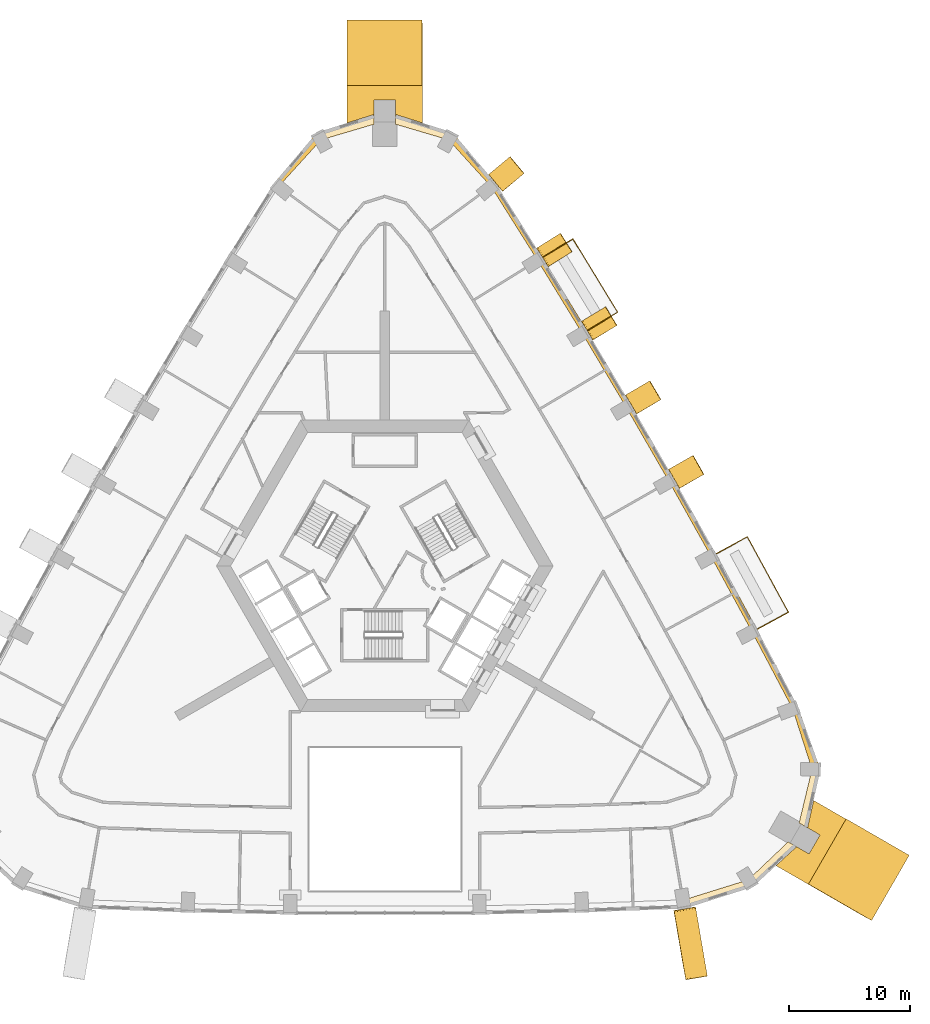
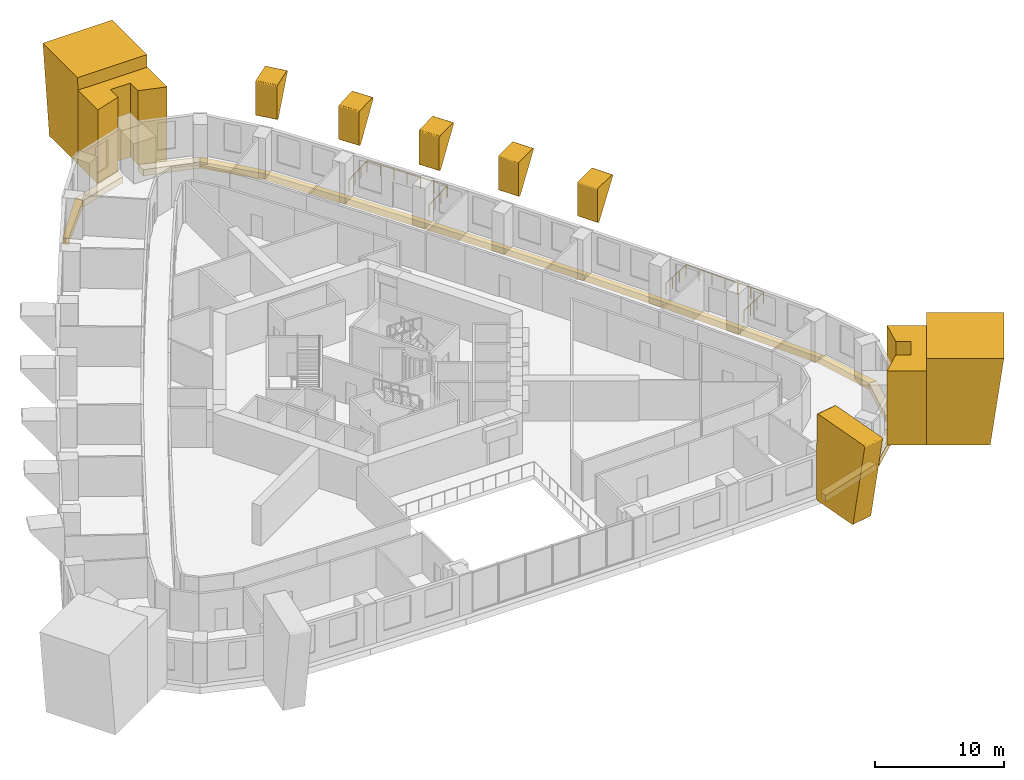
# One storey, part 14 of 14: 25 coverings, 2 railings.
"""IFC4 building model written with IfcOpenShell, lengths in metres."""

from ifc_helpers import new_model, si_unit, direction, frame, origin, origin_2d, place, context, subcontext, project, spatial, polyline, circle, outline, extrude, material, type_object, element, save


model = new_model("IFC4")

# Units and contexts
model_context = context("Model", 3, precision=1e-05, world=origin(), true_north=direction((0.0, 1.0)))
body_context = subcontext(model_context, "Body", "Model", "MODEL_VIEW")
ifc_project = project(units=[si_unit("LENGTHUNIT", "METRE"), si_unit("AREAUNIT", "SQUARE_METRE"), si_unit("VOLUMEUNIT", "CUBIC_METRE"), si_unit("PLANEANGLEUNIT", "RADIAN"), si_unit("MASSUNIT", "GRAM", prefix="KILO")], contexts=[model_context])

# Site, building, storey
site_placement = place(None, origin())
site = spatial("IfcSite", under=ifc_project, at=site_placement, CompositionType="ELEMENT")
building_placement = place(site_placement, origin())
building = spatial("IfcBuilding", under=site, at=building_placement, Name="Entoto Arch Interchange Tower", CompositionType="ELEMENT")
storey_placement = place(building_placement, frame((0.0, 0.0, 176.0)))
storey = spatial("IfcBuildingStorey", under=building, at=storey_placement, Name="L39", CompositionType="ELEMENT", Elevation=176.0)

# Railings
ifc_material_1 = material(Name="Stainless steel 1.4301", Category="steel")
railing_type = type_object("IfcRailingType", Name="GUARD 1100 STEEL AND GLASS", PredefinedType="GUARDRAIL", material=ifc_material_1)
railing_1_placement = place(storey_placement, frame((30.64111328125, -2.715087890625, 0.0)))
element("IfcRailing", 1, at=railing_1_placement, inside=storey, type_object=railing_type, Name="Balcony guard NE-02 L39", PredefinedType="GUARDRAIL", context=body_context, shape_type="SweptSolid", body=[
    extrude(circle(Radius=0.02392578125, at=origin_2d()), frame((0.0, 0.0, 1.076171875), z_axis=(0.877971473761, 0.478712952888, 0.0), x_axis=(-0.478712952888, 0.877971473761, 0.0)), (0.0, 0.0, 1.0), 2.94970703125),
    extrude(circle(Radius=0.02392578125, at=origin_2d()), frame((2.58984375, 1.412109375, 1.076171875), z_axis=(-0.47861744295, 0.878023543707, 0.0), x_axis=(-0.878023543707, -0.47861744295, 0.0)), (0.0, 0.0, 1.0), 7.0703125),
    extrude(circle(Radius=0.02392578125, at=origin_2d()), frame((-0.794189453125, 7.6201171875, 1.076171875), z_axis=(-0.877971473761, -0.478712952888, 0.0), x_axis=(0.478712952888, -0.877971473761, 0.0)), (0.0, 0.0, 1.0), 2.94970703125),
    extrude(circle(Radius=0.02099609375, at=origin_2d()), origin(), (0.0, 0.0, 1.0), 1.052001953125),
    extrude(circle(Radius=0.02099609375, at=origin_2d()), frame((0.86328125, 0.470703125, 0.0)), (0.0, 0.0, 1.0), 1.052001953125),
    extrude(circle(Radius=0.02099609375, at=origin_2d()), frame((1.7265625, 0.94140625, 0.0)), (0.0, 0.0, 1.0), 1.052001953125),
    extrude(circle(Radius=0.02099609375, at=origin_2d()), frame((2.58984375, 1.412109375, 0.0)), (0.0, 0.0, 1.0), 1.052001953125),
    extrude(circle(Radius=0.02099609375, at=origin_2d()), frame((2.02587890625, 2.44677734375, 0.0)), (0.0, 0.0, 1.0), 1.052001953125),
    extrude(circle(Radius=0.02099609375, at=origin_2d()), frame((1.4619140625, 3.4814453125, 0.0)), (0.0, 0.0, 1.0), 1.052001953125),
    extrude(circle(Radius=0.02099609375, at=origin_2d()), frame((0.89794921875, 4.51611328125, 0.0)), (0.0, 0.0, 1.0), 1.052001953125),
    extrude(circle(Radius=0.02099609375, at=origin_2d()), frame((0.333740234375, 5.55078125, 0.0)), (0.0, 0.0, 1.0), 1.052001953125),
    extrude(circle(Radius=0.02099609375, at=origin_2d()), frame((-0.230224609375, 6.58544921875, 0.0)), (0.0, 0.0, 1.0), 1.052001953125),
    extrude(circle(Radius=0.02099609375, at=origin_2d()), frame((-0.794189453125, 7.6201171875, 0.0)), (0.0, 0.0, 1.0), 1.052001953125),
    extrude(circle(Radius=0.02099609375, at=origin_2d()), frame((-1.657470703125, 7.1494140625, 0.0)), (0.0, 0.0, 1.0), 1.052001953125),
    extrude(circle(Radius=0.02099609375, at=origin_2d()), frame((-2.520751953125, 6.6787109375, 0.0)), (0.0, 0.0, 1.0), 1.052001953125),
    extrude(circle(Radius=0.02099609375, at=origin_2d()), frame((-3.384033203125, 6.2080078125, 0.0)), (0.0, 0.0, 1.0), 1.052001953125),
])
railing_2_placement = place(storey_placement, frame((16.654052734375, 21.85888671875, 0.0)))
element("IfcRailing", 2, at=railing_2_placement, inside=storey, type_object=railing_type, Name="Balcony guard NE-06 L39", PredefinedType="GUARDRAIL", context=body_context, shape_type="SweptSolid", body=[
    extrude(circle(Radius=0.02392578125, at=origin_2d()), frame((0.0, 0.0, 1.076171875), z_axis=(0.853392260007, 0.521269268765, 0.0), x_axis=(-0.521269268765, 0.853392260007, 0.0)), (0.0, 0.0, 1.0), 2.95068359375),
    extrude(circle(Radius=0.02392578125, at=origin_2d()), frame((2.51806640625, 1.5380859375, 1.076171875), z_axis=(-0.521208350331, 0.853429467235, 0.0), x_axis=(-0.853429467235, -0.521208350331, 0.0)), (0.0, 0.0, 1.0), 7.0703125),
    extrude(circle(Radius=0.02392578125, at=origin_2d()), frame((-1.1669921875, 7.572021484375, 1.076171875), z_axis=(-0.853429066635, -0.521209006276, 0.0), x_axis=(0.521209006276, -0.853429066635, 0.0)), (0.0, 0.0, 1.0), 2.950439453125),
    extrude(circle(Radius=0.02099609375, at=origin_2d()), origin(), (0.0, 0.0, 1.0), 1.052001953125),
    extrude(circle(Radius=0.02099609375, at=origin_2d()), frame((0.83935546875, 0.5126953125, 0.0)), (0.0, 0.0, 1.0), 1.052001953125),
    extrude(circle(Radius=0.02099609375, at=origin_2d()), frame((1.6787109375, 1.025390625, 0.0)), (0.0, 0.0, 1.0), 1.052001953125),
    extrude(circle(Radius=0.02099609375, at=origin_2d()), frame((2.51806640625, 1.5380859375, 0.0)), (0.0, 0.0, 1.0), 1.052001953125),
    extrude(circle(Radius=0.02099609375, at=origin_2d()), frame((1.90380859375, 2.543701171875, 0.0)), (0.0, 0.0, 1.0), 1.052001953125),
    extrude(circle(Radius=0.02099609375, at=origin_2d()), frame((1.289794921875, 3.54931640625, 0.0)), (0.0, 0.0, 1.0), 1.052001953125),
    extrude(circle(Radius=0.02099609375, at=origin_2d()), frame((0.675537109375, 4.55517578125, 0.0)), (0.0, 0.0, 1.0), 1.052001953125),
    extrude(circle(Radius=0.02099609375, at=origin_2d()), frame((0.061279296875, 5.560791015625, 0.0)), (0.0, 0.0, 1.0), 1.052001953125),
    extrude(circle(Radius=0.02099609375, at=origin_2d()), frame((-0.552734375, 6.56640625, 0.0)), (0.0, 0.0, 1.0), 1.052001953125),
    extrude(circle(Radius=0.02099609375, at=origin_2d()), frame((-1.1669921875, 7.572021484375, 0.0)), (0.0, 0.0, 1.0), 1.052001953125),
    extrude(circle(Radius=0.02099609375, at=origin_2d()), frame((-2.00634765625, 7.059326171875, 0.0)), (0.0, 0.0, 1.0), 1.052001953125),
    extrude(circle(Radius=0.02099609375, at=origin_2d()), frame((-2.845703125, 6.546875, 0.0)), (0.0, 0.0, 1.0), 1.052001953125),
    extrude(circle(Radius=0.02099609375, at=origin_2d()), frame((-3.68505859375, 6.0341796875, 0.0)), (0.0, 0.0, 1.0), 1.052001953125),
])

# Coverings
ifc_material_2 = material(Name="Board-marked precast concrete C50/60", Category="concrete")
covering_type_1 = type_object("IfcCoveringType", Name="PRECAST FRAME COURSE", PredefinedType="CLADDING", material=ifc_material_2)
covering_1_placement = place(storey_placement, frame((0.0, 0.0, -0.39990234375)))
element("IfcCovering", 3, at=covering_1_placement, inside=storey, type_object=covering_type_1, Name="Corner pilaster SE L39-L40", PredefinedType="CLADDING", context=body_context, shape_type="SweptSolid", body=[
    extrude(outline(polyline([(37.968017578125, -18.340087890625), (34.867919921875, -23.7099609375), (32.201904296875, -22.1708984375), (33.903076171875, -20.612060546875), (34.927978515625, -21.2041015625), (35.827880859375, -19.64599609375), (34.802978515625, -19.053955078125), (35.302001953125, -16.801025390625), (37.968017578125, -18.340087890625)])), origin(), (0.0, 0.0, 1.0), 7.0),
])
covering_2_placement = place(storey_placement, frame((0.0, 0.0, -0.39990234375)))
element("IfcCovering", 4, at=covering_2_placement, inside=storey, type_object=covering_type_1, Name="Corner pilaster N L39-L40", PredefinedType="CLADDING", context=body_context, shape_type="SweptSolid", body=[
    extrude(outline(polyline([(-3.10009765625, 42.051025390625), (3.10009765625, 42.051025390625), (3.10009765625, 38.972900390625), (0.89990234375, 39.6669921875), (0.89990234375, 40.85107421875), (-0.89990234375, 40.85107421875), (-0.89990234375, 39.6669921875), (-3.10009765625, 38.972900390625), (-3.10009765625, 42.051025390625)])), origin(), (0.0, 0.0, 1.0), 7.0),
])
covering_3_placement = place(storey_placement, frame((34.867919921875, -23.7099609375, -0.39990234375), z_axis=(-0.499957264094, -0.866044847685, 0.003009298407), x_axis=(0.866048769416, -0.499959527354, 2.03752e-07)))
element("IfcCovering", 5, at=covering_3_placement, inside=storey, type_object=covering_type_1, Name="Corner rib SE L39-L40", PredefinedType="CLADDING", context=body_context, shape_type="SweptSolid", body=[
    extrude(outline(polyline([(0.0, 0.0), (4.9350602612518895, 1.734723475976807e-18), (5.9992835711090375, 8.199987078632446), (-0.0006233213759282633, 8.199989306659491), (0.0, 0.0)])), origin(), (0.0, 0.0, -1.0), 6.199951171875),
])
covering_4_placement = place(storey_placement, frame((3.10009765625, 42.051025390625, -0.39990234375), z_axis=(0.999995297823, 0.0, 0.003066648277), x_axis=(0.0, 1.0, 0.0)))
element("IfcCovering", 6, at=covering_4_placement, inside=storey, type_object=covering_type_1, Name="Corner rib N L39-L40", PredefinedType="CLADDING", context=body_context, shape_type="SweptSolid", body=[
    extrude(outline(polyline([(0.0, 0.0), (4.44189453125, 0.0), (5.39990234375, 8.199989729677142), (0.0, 8.199989729677142), (0.0, 0.0)])), origin(), (0.0, 0.0, -1.0), 6.199951171875),
])
covering_5_placement = place(storey_placement, frame((23.806884765625, -26.010986328125, -0.39990234375), z_axis=(-0.985755005895, -0.168160400797, 0.003024558879), x_axis=(-0.167040596216, 0.980970705352, 0.098964207954)))
element("IfcCovering", 7, at=covering_5_placement, inside=storey, type_object=covering_type_1, Name="Fold rib S06 L39-L40", PredefinedType="CLADDING", context=body_context, shape_type="SweptSolid", body=[
    extrude(outline(polyline([(0.0, 0.0), (0.0296054434464646, 0.0), (0.057562818538159914, -0.005315004270379452), (0.08525923344582038, -0.016546035845579943), (0.10935084019425943, -0.03328640830706456), (0.1308327440800002, -0.054212522911533514), (0.14643746634672503, -0.07891314886028568), (0.15821627449850223, -0.10571260978605952), (0.16412851854040622, -0.1343191173346738), (0.9460109317587118, -7.995470842748959), (0.9432756311726801, -8.040149431924403), (0.9288644859377717, -8.080592619442918), (0.9119898271446948, -8.105577569334862), (0.8802416003609399, -8.134742418934401), (0.8403625880806388, -8.153919342035543), (0.811296231644595, -8.159754713713681), (-4.664004103208619, -8.70429141365019), (-4.706943117665049, -8.702427243102415), (-4.748166393051334, -8.687388512860208), (-4.783273340418799, -8.66291200256496), (-4.809193656147908, -8.628198782321022), (-4.824289771356364, -8.587498291826277), (-4.8276808051967794, -8.543674134495825), (-4.247698872855156, -0.5470815773842965), (-4.242370173552669, -0.5183375332243423), (-4.232032589306941, -0.49007701792402125), (-4.205117505376997, -0.4532981500257851), (-4.182481888412081, -0.4338697663838036), (-4.156332716420956, -0.42023082711150644), (-4.112554379307708, -0.40900563797169653), (0.0, 0.0)])), origin(), (0.0, 0.0, -1.0), 1.800048828125),
])
covering_6_placement = place(storey_placement, frame((24.47998046875, 9.011962890625, 4.594970703125), z_axis=(0.494110612812, -0.869394510515, 0.002808450085), x_axis=(-0.592267261449, -0.33896974535, -0.730971273548)))
element("IfcCovering", 8, at=covering_6_placement, inside=storey, type_object=covering_type_1, Name="Fold rib NE04 L39-L40", PredefinedType="CLADDING", context=body_context, shape_type="SweptSolid", body=[
    extrude(outline(polyline([(0.0, 0.0), (0.04375359399775204, 0.0), (0.08593508870325751, -0.012984357100395826), (0.12220305178783569, -0.03716516796991582), (0.14109976036206526, -0.05883921556080775), (0.156900812401525, -0.08327788830906159), (0.17004433788906406, -0.12490205066218679), (0.17010154049355838, -0.16896855022430166), (0.15784276005070919, -0.2116497811921247), (0.13423562974692435, -0.24789780321519206), (-2.0467388726146365, -2.2843206096158233), (-2.083503484853699, -2.3096931025637653), (-2.1244839419649693, -2.3226798847593595), (-2.154229401569616, -2.324808421853171), (-2.1973028340341365, -2.3165903409461412), (-2.236884663075786, -2.296374328592303), (-2.2584921316879356, -2.2775212999622423), (-3.659468588757396, -0.7768304045308885), (-3.6848149204137464, -0.739305503450395), (-3.6978418263315955, -0.6974471273434224), (-3.699502909008071, -0.6677608649908391), (-3.695188444373949, -0.6387526846408602), (-3.6857568680629305, -0.6109336105673315), (-3.671329777998329, -0.5852423131603373), (-3.650949778040302, -0.5630683083774697), (-3.627233099232253, -0.5458972186370141), (-3.6007928988567848, -0.5334366210069579), (-3.5722125412650314, -0.5257694346311776), (0.0, 0.0)])), origin(), (0.0, 0.0, -1.0), 1.800048828125),
])
covering_7_placement = place(storey_placement, frame((20.955078125, 15.14306640625, 4.594970703125), z_axis=(0.506264167885, -0.86237371867, 0.002856862386), x_axis=(-0.590932665535, -0.349321235676, -0.72716797173)))
element("IfcCovering", 9, at=covering_7_placement, inside=storey, type_object=covering_type_1, Name="Fold rib NE05 L39-L40", PredefinedType="CLADDING", context=body_context, shape_type="SweptSolid", body=[
    extrude(outline(polyline([(0.0, 0.0), (0.04398113186541715, -3.469446951953614e-18), (0.08551051492778439, -0.011982894744742935), (0.11036873141289327, -0.02657942899212217), (0.1324282368724313, -0.047103683141498376), (0.15674021746969033, -0.08317035769096351), (0.1702614529865459, -0.1248789251563045), (0.1712108027887097, -0.1682079850475364), (0.15860679886468892, -0.21033883433617323), (0.13554152747286594, -0.2470748134025051), (-2.0341742679256147, -2.2954891433979725), (-2.0703015218947622, -2.3215932631573617), (-2.1114621939790896, -2.334541078020311), (-2.140860745320427, -2.337184793551542), (-2.184312411571964, -2.3288545881478657), (-2.224005789261053, -2.308856602295369), (-2.2461393498463043, -2.2896799570761526), (-3.6555601051169435, -0.7966617617463647), (-3.680016356384499, -0.7604417452753713), (-3.6937928726691465, -0.7181055608284148), (-3.695954522407184, -0.6880755965997571), (-3.6917996688029655, -0.6590445721118641), (-3.682668112188692, -0.6310183062073733), (-3.6676561340775637, -0.6060202937161212), (-3.647315090558075, -0.5838219764664767), (-3.624116490566619, -0.5660765868803912), (-3.597988409318755, -0.5532074147751875), (-3.568872999142227, -0.5459967772163605), (0.0, 0.0)])), origin(), (0.0, 0.0, -1.0), 1.800048828125),
])
covering_8_placement = place(storey_placement, frame((17.35400390625, 21.23095703125, 4.595947265625), z_axis=(0.517628736721, -0.855599839472, 0.003066857734), x_axis=(-0.58999679713, -0.359533080073, -0.722938271023)))
element("IfcCovering", 10, at=covering_8_placement, inside=storey, type_object=covering_type_1, Name="Fold rib NE06 L39-L40", PredefinedType="CLADDING", context=body_context, shape_type="SweptSolid", body=[
    extrude(outline(polyline([(0.0, 0.0), (0.044239311767981786, -3.469446951953614e-18), (0.08584028956627135, -0.011728505163167681), (0.12215083045900554, -0.035233770938827895), (0.1515482027224483, -0.06882039477519535), (0.16804611800281768, -0.1094054241876233), (0.1734621492928398, -0.15253000638552056), (0.1705388591816114, -0.18127201035442359), (0.1608249717281623, -0.20891616936881882), (0.1372784379846721, -0.24647316353609763), (-2.018614332732651, -2.308014325016762), (-2.0556538369671755, -2.333217418133148), (-2.096327592062092, -2.346839956564679), (-2.1262005853825863, -2.349152134236977), (-2.1690343201532776, -2.3417873258720268), (-2.208475162926616, -2.322429427337566), (-2.2307276003104244, -2.303385887941568), (-3.646571781508933, -0.8219004100613594), (-3.6720308643268966, -0.7850137448419292), (-3.6859786698309813, -0.7428584214082103), (-3.687829144447938, -0.7133563776418448), (-3.6843439021182136, -0.6837883795857131), (-3.674662471079289, -0.6564641801231745), (-3.6605229501854533, -0.6306192004201503), (-3.6403170662405158, -0.6082978575181444), (-3.6172341199178693, -0.5904042067270803), (-3.5910927467013405, -0.5774713530254965), (-3.561764308271246, -0.5703501084372482), (0.0, 0.0)])), origin(), (0.0, 0.0, -1.0), 1.800048828125),
])
covering_9_placement = place(storey_placement, frame((13.677978515625, 27.27490234375, 4.597900390625), z_axis=(0.529873991472, -0.84807171739, 0.002813418655), x_axis=(-0.582761365097, -0.366514587535, -0.725297351763)))
element("IfcCovering", 11, at=covering_9_placement, inside=storey, type_object=covering_type_1, Name="Fold rib NE07 L39-L40", PredefinedType="CLADDING", context=body_context, shape_type="SweptSolid", body=[
    extrude(outline(polyline([(0.0, 0.0), (0.044094264153076664, 3.469446951953614e-18), (0.08600654361211976, -0.012239871937629834), (0.12344292888848118, -0.03572138681473121), (0.15121289205664024, -0.06923437503192698), (0.164294258647593, -0.09613751449409827), (0.17100214539941058, -0.1237738523000986), (0.1725904582022618, -0.16729473381938495), (0.16044890898150005, -0.2098251997297117), (0.1374933158891504, -0.24663522900001714), (-2.0249023845024836, -2.2999372271585137), (-2.061461846739843, -2.325611416913149), (-2.102443866066751, -2.3388205243866578), (-2.1323248710967353, -2.341029062854601), (-2.175574213143008, -2.333055467505959), (-2.2149515627270704, -2.313557031949789), (-2.237278685103368, -2.2942878103733193), (-3.642235880450685, -0.8140896417630727), (-3.6669955762897497, -0.7777194002144183), (-3.680797737472386, -0.7355156217655678), (-3.6832111000756544, -0.7070856987262566), (-3.679447940839291, -0.6773602293720087), (-3.669536202859395, -0.6487919794344355), (-3.6550882477533824, -0.6232326764104652), (-3.635512506642817, -0.6016548061073417), (-3.611878282549092, -0.5829325425355933), (-3.5852070630911137, -0.5706046571054704), (-3.556693623987866, -0.5627009086355939), (0.0, 0.0)])), origin(), (0.0, 0.0, -1.0), 1.800048828125),
])
covering_10_placement = place(storey_placement, frame((9.904052734375, 33.510009765625, 4.60107421875), z_axis=(0.638898706285, -0.769284892788, 0.00303262836), x_axis=(-0.523210331344, -0.437414560445, -0.731381878013)))
element("IfcCovering", 12, at=covering_10_placement, inside=storey, type_object=covering_type_1, Name="Fold rib NE08 L39-L40", PredefinedType="CLADDING", context=body_context, shape_type="SweptSolid", body=[
    extrude(outline(polyline([(0.0, 0.0), (0.04372830392595949, -3.469446951953614e-18), (0.08546488238657887, -0.012542346366354436), (0.12231125108314345, -0.03737872527953124), (0.1510468628544363, -0.07106177078163799), (0.16769709745625605, -0.11075583826468755), (0.17226210716127835, -0.1392817610305886), (0.17153043842724322, -0.16928192898925146), (0.15888228463022946, -0.21120727140551013), (0.13543825458171416, -0.24764342822646984), (-2.0428275611510482, -2.2798089289296444), (-2.079410314938729, -2.305371572200919), (-2.120442842107627, -2.318287301109392), (-2.1505375287886466, -2.3200206265761936), (-2.1936820098751633, -2.3116984686138764), (-2.2328060756100316, -2.2919324729256276), (-2.2547747885181892, -2.2726703790609366), (-3.634405392466257, -0.7930631442410907), (-3.659391243632503, -0.7558837146059085), (-3.672578795087839, -0.7138140184913522), (-3.6749787800769433, -0.685110439067034), (-3.67116800751686, -0.6551858198574769), (-3.6610019491697923, -0.6281403067953208), (-3.6458929148057226, -0.6017435510533176), (-3.6262210661095153, -0.5802367435599409), (-3.603147025320653, -0.5627391362657823), (-3.57618593548421, -0.549055427594805), (-3.547380597448486, -0.5416431430061532), (0.0, 0.0)])), origin(), (0.0, 0.0, -1.0), 1.800048828125),
])
covering_type_2 = type_object("IfcCoveringType", Name="PRECAST LEDGE COURSE", PredefinedType="CLADDING", material=ifc_material_2)
covering_11_placement = place(storey_placement, frame((0.0, 0.0, -1.0)))
element("IfcCovering", 13, at=covering_11_placement, inside=storey, type_object=covering_type_2, Name="Precast course SE-01 L39", PredefinedType="CLADDING", context=body_context, shape_type="SweptSolid", body=[
    extrude(outline(polyline([(29.9189453125, -23.339111328125), (30.281005859375, -23.930908203125), (24.6689453125, -25.7119140625), (24.6689453125, -24.97705078125), (29.9189453125, -23.339111328125)])), origin(), (0.0, 0.0, 1.0), 0.60009765625),
])
covering_12_placement = place(storey_placement, frame((0.0, 0.0, -1.0)))
element("IfcCovering", 14, at=covering_12_placement, inside=storey, type_object=covering_type_2, Name="Precast course SE-02 L39", PredefinedType="CLADDING", context=body_context, shape_type="SweptSolid", body=[
    extrude(outline(polyline([(33.208984375, -20.2119140625), (33.903076171875, -20.612060546875), (30.281005859375, -23.930908203125), (29.9189453125, -23.339111328125), (33.208984375, -20.2119140625)])), origin(), (0.0, 0.0, 1.0), 0.60009765625),
])
covering_13_placement = place(storey_placement, frame((0.0, 0.0, -1.0)))
element("IfcCovering", 15, at=covering_13_placement, inside=storey, type_object=covering_type_2, Name="Precast course SE-03 L39", PredefinedType="CLADDING", context=body_context, shape_type="SweptSolid", body=[
    extrude(outline(polyline([(35.1708984375, -14.240966796875), (35.864990234375, -14.258056640625), (34.802978515625, -19.052978515625), (34.10888671875, -18.653076171875), (35.1708984375, -14.240966796875)])), origin(), (0.0, 0.0, 1.0), 0.60009765625),
])
covering_14_placement = place(storey_placement, frame((0.0, 0.0, -1.0)))
element("IfcCovering", 16, at=covering_14_placement, inside=storey, type_object=covering_type_2, Name="Precast course SE-04 L39", PredefinedType="CLADDING", context=body_context, shape_type="SweptSolid", body=[
    extrude(outline(polyline([(33.58203125, -9.281005859375), (34.027099609375, -9.116943359375), (35.864990234375, -14.258056640625), (35.1708984375, -14.240966796875), (33.58203125, -9.281005859375)])), origin(), (0.0, 0.0, 1.0), 0.60009765625),
])
covering_15_placement = place(storey_placement, frame((0.0, 0.0, -1.0)))
element("IfcCovering", 17, at=covering_15_placement, inside=storey, type_object=covering_type_2, Name="Precast course NE-01 L39", PredefinedType="CLADDING", context=body_context, shape_type="SweptSolid", body=[
    extrude(outline(polyline([(30.23388671875, -2.931884765625), (30.64111328125, -2.715087890625), (34.027099609375, -9.116943359375), (33.58203125, -9.281005859375), (30.23388671875, -2.931884765625)])), origin(), (0.0, 0.0, 1.0), 0.60009765625),
])
covering_16_placement = place(storey_placement, frame((0.0, 0.0, -1.0)))
element("IfcCovering", 18, at=covering_16_placement, inside=storey, type_object=covering_type_2, Name="Precast course NE-02 L39", PredefinedType="CLADDING", context=body_context, shape_type="SweptSolid", body=[
    extrude(outline(polyline([(26.860107421875, 3.27490234375), (27.257080078125, 3.492919921875), (30.64111328125, -2.715087890625), (30.23388671875, -2.931884765625), (26.860107421875, 3.27490234375)])), origin(), (0.0, 0.0, 1.0), 0.60009765625),
])
covering_17_placement = place(storey_placement, frame((0.0, 0.0, -1.0)))
element("IfcCovering", 19, at=covering_17_placement, inside=storey, type_object=covering_type_2, Name="Precast course NE-03 L39", PredefinedType="CLADDING", context=body_context, shape_type="SweptSolid", body=[
    extrude(outline(polyline([(23.406005859375, 9.43603515625), (23.798095703125, 9.658935546875), (27.257080078125, 3.492919921875), (26.860107421875, 3.27490234375), (23.406005859375, 9.43603515625)])), origin(), (0.0, 0.0, 1.0), 0.60009765625),
])
covering_18_placement = place(storey_placement, frame((0.0, 0.0, -1.0)))
element("IfcCovering", 20, at=covering_18_placement, inside=storey, type_object=covering_type_2, Name="Precast course NE-04 L39", PredefinedType="CLADDING", context=body_context, shape_type="SweptSolid", body=[
    extrude(outline(polyline([(19.875, 15.552978515625), (20.263916015625, 15.781005859375), (23.798095703125, 9.658935546875), (23.406005859375, 9.43603515625), (19.875, 15.552978515625)])), origin(), (0.0, 0.0, 1.0), 0.60009765625),
])
covering_19_placement = place(storey_placement, frame((0.0, 0.0, -1.0)))
element("IfcCovering", 21, at=covering_19_placement, inside=storey, type_object=covering_type_2, Name="Precast course NE-05 L39", PredefinedType="CLADDING", context=body_context, shape_type="SweptSolid", body=[
    extrude(outline(polyline([(16.26611328125, 21.6240234375), (16.654052734375, 21.85888671875), (20.263916015625, 15.781005859375), (19.875, 15.552978515625), (16.26611328125, 21.6240234375)])), origin(), (0.0, 0.0, 1.0), 0.60009765625),
])
covering_20_placement = place(storey_placement, frame((0.0, 0.0, -1.0)))
element("IfcCovering", 22, at=covering_20_placement, inside=storey, type_object=covering_type_2, Name="Precast course NE-06 L39", PredefinedType="CLADDING", context=body_context, shape_type="SweptSolid", body=[
    extrude(outline(polyline([(12.577880859375, 27.64892578125), (12.968994140625, 27.89306640625), (16.654052734375, 21.85888671875), (16.26611328125, 21.6240234375), (12.577880859375, 27.64892578125)])), origin(), (0.0, 0.0, 1.0), 0.60009765625),
])
covering_21_placement = place(storey_placement, frame((0.0, 0.0, -1.0)))
element("IfcCovering", 23, at=covering_21_placement, inside=storey, type_object=covering_type_2, Name="Precast course NE-07 L39", PredefinedType="CLADDING", context=body_context, shape_type="SweptSolid", body=[
    extrude(outline(polyline([(8.7529296875, 33.72412109375), (9.117919921875, 34.027099609375), (12.968994140625, 27.89306640625), (12.577880859375, 27.64892578125), (8.7529296875, 33.72412109375)])), origin(), (0.0, 0.0, 1.0), 0.60009765625),
])
covering_22_placement = place(storey_placement, frame((0.0, 0.0, -1.0)))
element("IfcCovering", 24, at=covering_22_placement, inside=storey, type_object=covering_type_2, Name="Precast course N-01 L39", PredefinedType="CLADDING", context=body_context, shape_type="SweptSolid", body=[
    extrude(outline(polyline([(5.2529296875, 37.580078125), (5.5849609375, 38.18896484375), (9.117919921875, 34.027099609375), (8.7529296875, 33.72412109375), (5.2529296875, 37.580078125)])), origin(), (0.0, 0.0, 1.0), 0.60009765625),
])
covering_23_placement = place(storey_placement, frame((0.0, 0.0, -1.0)))
element("IfcCovering", 25, at=covering_23_placement, inside=storey, type_object=covering_type_2, Name="Precast course N-02 L39", PredefinedType="CLADDING", context=body_context, shape_type="SweptSolid", body=[
    extrude(outline(polyline([(0.89990234375, 38.864990234375), (0.89990234375, 39.6669921875), (5.5849609375, 38.18896484375), (5.2529296875, 37.580078125), (0.89990234375, 38.864990234375)])), origin(), (0.0, 0.0, 1.0), 0.60009765625),
])
covering_24_placement = place(storey_placement, frame((0.0, 0.0, -1.0)))
element("IfcCovering", 26, at=covering_24_placement, inside=storey, type_object=covering_type_2, Name="Precast course N-03 L39", PredefinedType="CLADDING", context=body_context, shape_type="SweptSolid", body=[
    extrude(outline(polyline([(-5.2529296875, 37.580078125), (-5.5849609375, 38.18896484375), (-0.89990234375, 39.6669921875), (-0.89990234375, 38.864990234375), (-5.2529296875, 37.580078125)])), origin(), (0.0, 0.0, 1.0), 0.60009765625),
])
covering_25_placement = place(storey_placement, frame((0.0, 0.0, -1.0)))
element("IfcCovering", 27, at=covering_25_placement, inside=storey, type_object=covering_type_2, Name="Precast course N-04 L39", PredefinedType="CLADDING", context=body_context, shape_type="SweptSolid", body=[
    extrude(outline(polyline([(-8.7529296875, 33.72412109375), (-9.117919921875, 34.027099609375), (-5.5849609375, 38.18896484375), (-5.2529296875, 37.580078125), (-8.7529296875, 33.72412109375)])), origin(), (0.0, 0.0, 1.0), 0.60009765625),
])

save(model, "model.ifc")
